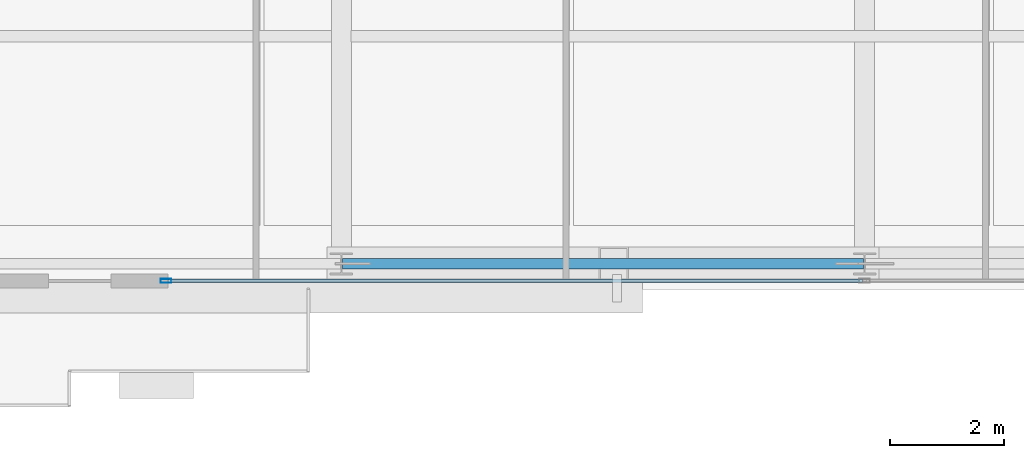
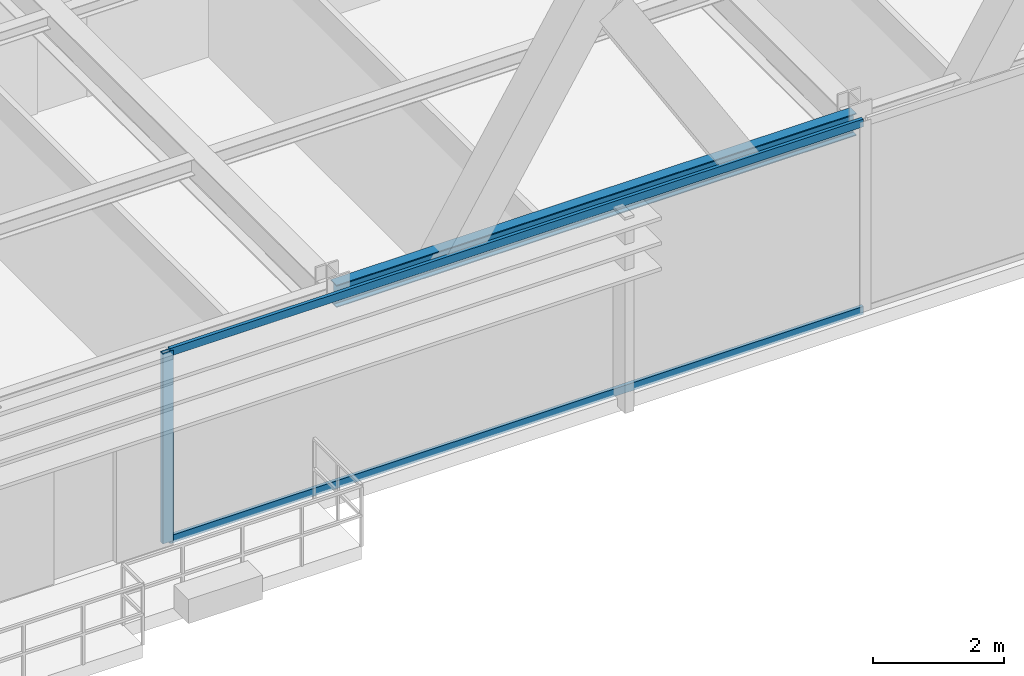
# One storey, part 6 of 37: 3 members, 1 beam, 1 element without a shape of its own.
"""IFC4 building model written with IfcOpenShell, lengths in metres."""

from ifc_helpers import new_model, si_unit, direction, frame, origin, origin_2d, place, context, subcontext, project, spatial, hollow_rectangle, i_section, extrude, source, transform, mapped, material, layer, layer_set, material_profile, profile_set, type_object, type_shapes, element, aggregate, save


model = new_model("IFC4")

# Units and contexts
model_context = context("Model", 3, precision=1e-05, world=origin(), true_north=direction((0.0, 1.0)))
body_context = subcontext(model_context, "Body", "Model", "MODEL_VIEW")
ifc_project = project(units=[si_unit("LENGTHUNIT", "METRE"), si_unit("AREAUNIT", "SQUARE_METRE"), si_unit("VOLUMEUNIT", "CUBIC_METRE"), si_unit("PLANEANGLEUNIT", "RADIAN"), si_unit("MASSUNIT", "GRAM", prefix="KILO")], contexts=[model_context])

# Site, building, storey
site_placement = place(None, origin())
site = spatial("IfcSite", under=ifc_project, at=site_placement, CompositionType="ELEMENT")
building_placement = place(site_placement, origin())
building = spatial("IfcBuilding", under=site, at=building_placement, Name="Varnel Quay Broadcast Tower", CompositionType="ELEMENT")
storey_placement = place(building_placement, frame((0.0, 0.0, 103.0)))
storey = spatial("IfcBuildingStorey", under=building, at=storey_placement, Name="L24", CompositionType="ELEMENT", Elevation=103.0)

# Beam
ifc_material_1 = material(Name="Structural Steel CSA G40.21 350W", Category="steel")
ifc_material_profile_1 = material_profile(ifc_material_1, i_section(OverallWidth=0.180908203125, OverallDepth=0.4169921875, WebThickness=0.010986328125, FlangeThickness=0.018310546875, FilletRadius=0.011962890625, at=origin_2d()), Name="W410X85")
ifc_profile_set_1 = profile_set([ifc_material_profile_1], Name="Structural Steel CSA G40.21 350W")
beam_type = type_object("IfcBeamType", Name="Beam_W410X85", PredefinedType="SPANDREL", material=ifc_profile_set_1)
shared_shape_1 = source(origin(), body_context, "Body", "SweptSolid", [
    extrude(i_section(OverallWidth=0.180908203125, OverallDepth=0.4169921875, WebThickness=0.010986328125, FlangeThickness=0.018310546875, FilletRadius=0.011962890625, at=origin_2d()), origin(), (0.0, 0.0, 1.0), 9.159912109375),
])
type_shapes(beam_type, [shared_shape_1])
beam_placement = place(storey_placement, frame((24.820068359375, 4.64990234375, 3.341552734375), z_axis=(1.0, 0.0, 0.0), x_axis=(0.0, 1.0, 0.0)))
element("IfcBeam", 1, at=beam_placement, inside=storey, type_object=beam_type, Name="L24 South Spandrel TC-S2-TC-S3", PredefinedType="SPANDREL", context=body_context, shape_type="MappedRepresentation", body=[
    mapped(shared_shape_1, transform((0.0, 0.0, 0.0), x_axis=(1.0, 0.0, 0.0), y_axis=(0.0, 1.0, 0.0), z_axis=(0.0, 0.0, 1.0), scale=1.0)),
])

# Curtain wall, members
ifc_material_2 = material(Name="Anodised Bronze Aluminium 6063-T6", Category="aluminium")
ifc_layer = layer(ifc_material_2, 0.18994140625, Name="Anodised Bronze Aluminium 6063-T6")
ifc_layer_set = layer_set([ifc_layer], Name="Anodised Bronze Aluminium 6063-T6")
curtain_wall_type = type_object("IfcCurtainWallType", Name="CW_LowerTower", PredefinedType="NOTDEFINED", material=ifc_layer_set)
curtain_wall_placement = place(storey_placement, origin())
curtain_wall = element("IfcCurtainWall", 2, at=curtain_wall_placement, inside=storey, type_object=curtain_wall_type, Name="L24 South Unitised Curtain Wall 2", PredefinedType="NOTDEFINED")
ifc_material_profile_2 = material_profile(ifc_material_2, hollow_rectangle(XDim=0.06005859375, YDim=0.14501953125, WallThickness=0.00341796875, at=origin_2d()), Name="ALU60X145X3.5")
ifc_profile_set_2 = profile_set([ifc_material_profile_2], Name="Anodised Bronze Aluminium 6063-T6")
member_type_1 = type_object("IfcMemberType", Name="Tran_CWS-02", PredefinedType="USERDEFINED", material=ifc_profile_set_2)
shared_shape_2 = source(origin(), body_context, "Body", "SweptSolid", [
    extrude(hollow_rectangle(XDim=0.06005859375, YDim=0.14501953125, WallThickness=0.00341796875, at=origin_2d()), origin(), (0.0, 0.0, 1.0), 12.215087890625),
])
type_shapes(member_type_1, [shared_shape_2])
member_1_placement = place(storey_placement, frame((21.75, 4.35009765625, 0.030029296875), z_axis=(1.0, 0.0, 0.0), x_axis=(0.0, 1.0, 0.0)))
member_1 = element("IfcMember", 3, at=member_1_placement, type_object=member_type_1, Name="CWS-02 transom 1.1", ObjectType="TRANSOM", PredefinedType="USERDEFINED", context=body_context, shape_type="MappedRepresentation", body=[
    mapped(shared_shape_2, transform((0.0, 0.0, 0.0), x_axis=(1.0, 0.0, 0.0), y_axis=(0.0, 1.0, 0.0), z_axis=(0.0, 0.0, 1.0), scale=1.0)),
])
member_2_placement = place(storey_placement, frame((21.75, 4.35009765625, 3.52001953125), z_axis=(1.0, 0.0, 0.0), x_axis=(0.0, 1.0, 0.0)))
member_2 = element("IfcMember", 4, at=member_2_placement, type_object=member_type_1, Name="CWS-02 transom 1.2", ObjectType="TRANSOM", PredefinedType="USERDEFINED", context=body_context, shape_type="MappedRepresentation", body=[
    mapped(shared_shape_2, transform((0.0, 0.0, 0.0), x_axis=(1.0, 0.0, 0.0), y_axis=(0.0, 1.0, 0.0), z_axis=(0.0, 0.0, 1.0), scale=1.0)),
])
ifc_material_profile_3 = material_profile(ifc_material_2, hollow_rectangle(XDim=0.070068359375, YDim=0.18994140625, WallThickness=0.00390625, at=origin_2d()), Name="ALU70X190X4")
ifc_profile_set_3 = profile_set([ifc_material_profile_3], Name="Anodised Bronze Aluminium 6063-T6")
member_type_2 = type_object("IfcMemberType", Name="Mull_CWS-02", PredefinedType="MULLION", material=ifc_profile_set_3)
shared_shape_3 = source(origin(), body_context, "Body", "SweptSolid", [
    extrude(hollow_rectangle(XDim=0.070068359375, YDim=0.18994140625, WallThickness=0.00390625, at=origin_2d()), origin(), (0.0, 0.0, 1.0), 3.550048828125),
])
type_shapes(member_type_2, [shared_shape_3])
member_3_placement = place(storey_placement, frame((21.715087890625, 4.35009765625, 0.0), z_axis=(0.0, 0.0, 1.0), x_axis=(0.0, 1.0, 0.0)))
member_3 = element("IfcMember", 5, at=member_3_placement, type_object=member_type_2, Name="CWS-02 mullion 1", PredefinedType="MULLION", context=body_context, shape_type="MappedRepresentation", body=[
    mapped(shared_shape_3, transform((0.0, 0.0, 0.0), x_axis=(1.0, 0.0, 0.0), y_axis=(0.0, 1.0, 0.0), z_axis=(0.0, 0.0, 1.0), scale=1.0)),
])
aggregate(curtain_wall, [member_3, member_1, member_2])

save(model, "model.ifc")
